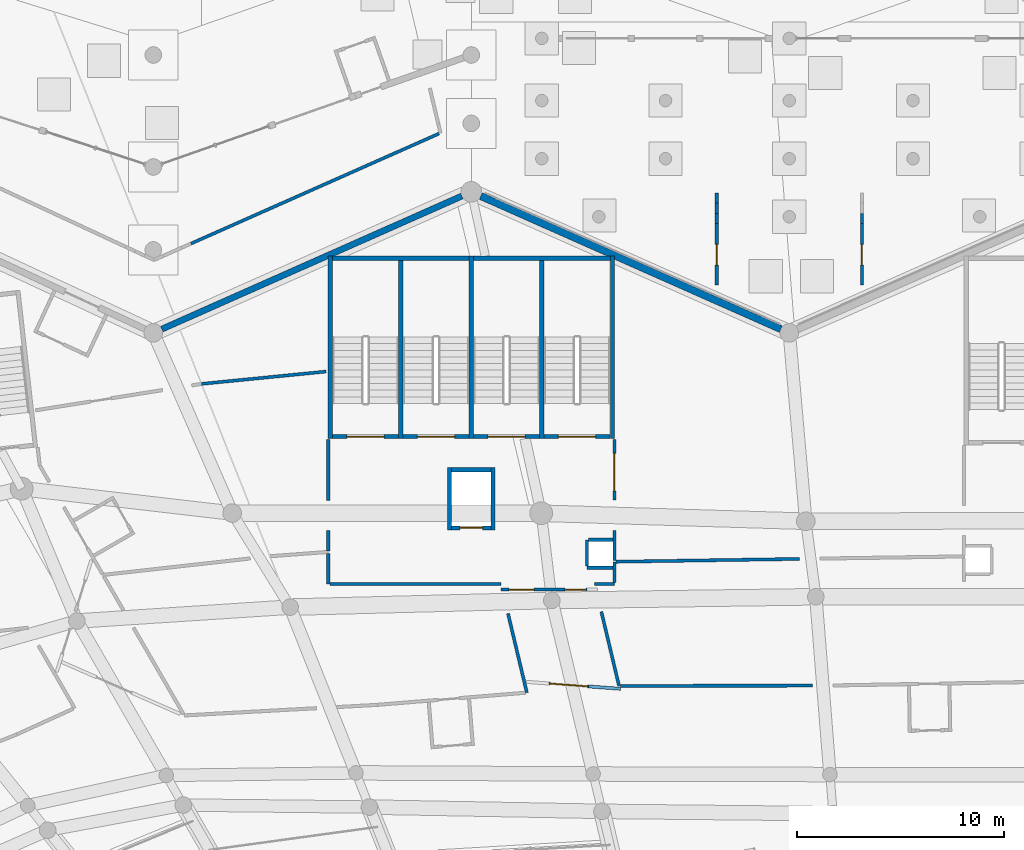
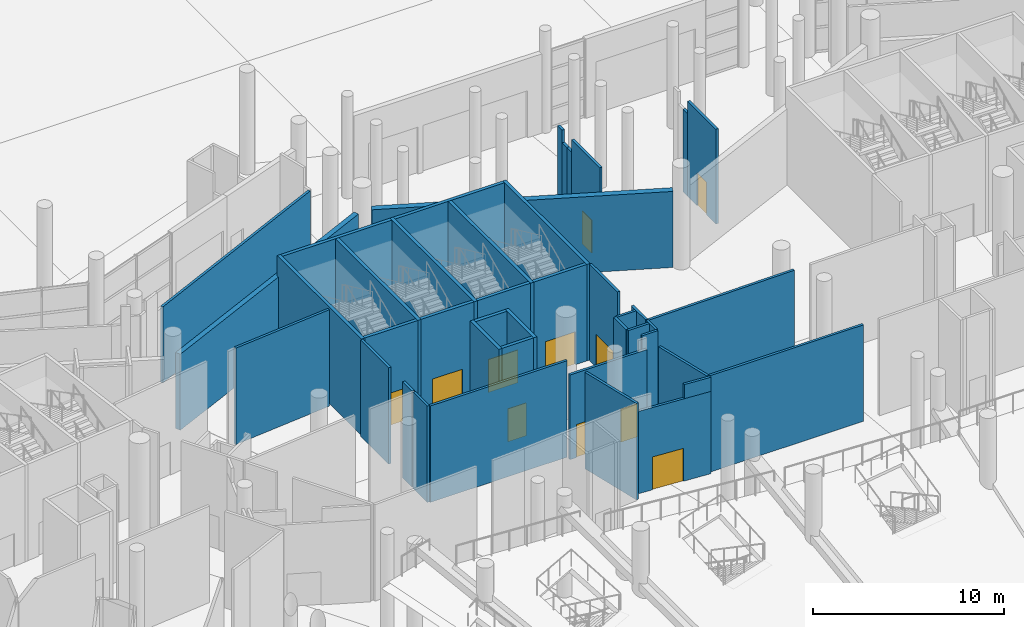
# One storey, part 142 of 255: 43 walls, 11 doors, 11 openings.
"""IFC4 building model written with IfcOpenShell, lengths in metres."""

from ifc_helpers import new_model, si_unit, direction, frame, frame_2d, origin, place, context, subcontext, project, spatial, rectangle, extrude, material, layer, layer_set, type_object, element, fill, save


model = new_model("IFC4")

# Units and contexts
model_context = context("Model", 3, precision=1e-05, world=origin(), true_north=direction((0.0, 1.0)))
body_context = subcontext(model_context, "Body", "Model", "MODEL_VIEW")
ifc_project = project(units=[si_unit("LENGTHUNIT", "METRE"), si_unit("AREAUNIT", "SQUARE_METRE"), si_unit("VOLUMEUNIT", "CUBIC_METRE"), si_unit("PLANEANGLEUNIT", "RADIAN"), si_unit("MASSUNIT", "GRAM", prefix="KILO")], contexts=[model_context])

# Site, building, storey
site_placement = place(None, origin())
site = spatial("IfcSite", under=ifc_project, at=site_placement, CompositionType="ELEMENT")
building_placement = place(site_placement, origin())
building = spatial("IfcBuilding", under=site, at=building_placement, Name="Meseta Stadium", CompositionType="ELEMENT")
storey_placement = place(building_placement, origin())
storey = spatial("IfcBuildingStorey", under=building, at=storey_placement, Name="L00", CompositionType="ELEMENT", Elevation=0.0)

# Walls
ifc_material_1 = material(Name="Concrete C40/50", Category="concrete")
ifc_layer_1 = layer(ifc_material_1, 0.199951171875)
ifc_layer_set_1 = layer_set([ifc_layer_1], Name="Core divider wall 200")
wall_type_1 = type_object("IfcWallType", Name="Core divider wall 200", PredefinedType="SHEAR", material=ifc_layer_set_1)
for number, where, z_axis, x_axis, name in (
    (1, (-19.60009765625, 102.300048828125, 0.0), (0.0, 0.0, 1.0), (0.0, -1.0, 0.0), "Core 11 L00 stair A divider wall"),
    (2, (-26.39990234375, 102.300048828125, 0.0), (0.0, 0.0, 1.0), (0.0, -1.0, 0.0), "Core 11 L00 stair B divider wall"),
):
    element("IfcWall", number, at=place(storey_placement, frame(where, z_axis=z_axis, x_axis=x_axis)), inside=storey, type_object=wall_type_1, Name=name, PredefinedType="SHEAR", context=body_context, shape_type="SweptSolid", body=[
        extrude(rectangle(XDim=8.800048828125, YDim=0.199951171875, at=frame_2d((4.39990234375, 0.0))), origin(), (0.0, 0.0, 1.0), 6.14990234375),
    ])
ifc_material_2 = material(Name="Concrete C40/50", Category="concrete")
ifc_layer_2 = layer(ifc_material_2, 0.199951171875)
ifc_layer_set_2 = layer_set([ifc_layer_2], Name="Core shaft wall 200")
wall_type_2 = type_object("IfcWallType", Name="Core shaft wall 200", PredefinedType="SHEAR", material=ifc_layer_set_2)
for number, where, z_axis, x_axis, name in (
    (3, (-16.199951171875, 102.300048828125, 0.0), (0.0, 0.0, 1.0), (0.0, -1.0, 0.0), "Core 11 L00 stair wall A-side"),
    (4, (-23.0, 102.300048828125, 0.0), (0.0, 0.0, 1.0), (0.0, -1.0, 0.0), "Core 11 L00 stair wall shared"),
    (5, (-29.800048828125, 102.300048828125, 0.0), (0.0, 0.0, 1.0), (0.0, -1.0, 0.0), "Core 11 L00 stair wall B-side"),
):
    element("IfcWall", number, at=place(storey_placement, frame(where, z_axis=z_axis, x_axis=x_axis)), inside=storey, type_object=wall_type_2, Name=name, PredefinedType="SHEAR", context=body_context, shape_type="SweptSolid", body=[
        extrude(rectangle(XDim=8.800048828125, YDim=0.199951171875, at=frame_2d((4.39990234375, 0.0))), origin(), (0.0, 0.0, 1.0), 6.14990234375),
    ])
for number, where, z_axis, x_axis, name in (
    (6, (-16.300048828125, 102.199951171875, 0.0), (0.0, 0.0, 1.0), (-1.0, 0.0, 0.0), "Core 11 L00 stair A outer end wall"),
    (7, (-23.10009765625, 102.199951171875, 0.0), (0.0, 0.0, 1.0), (-1.0, 0.0, 0.0), "Core 11 L00 stair B outer end wall"),
):
    element("IfcWall", number, at=place(storey_placement, frame(where, z_axis=z_axis, x_axis=x_axis)), inside=storey, type_object=wall_type_2, Name=name, PredefinedType="SHEAR", context=body_context, shape_type="SweptSolid", body=[
        extrude(rectangle(XDim=6.599853515625, YDim=0.199951171875, at=frame_2d((3.2998046875, 0.0))), origin(), (0.0, 0.0, 1.0), 6.14990234375),
    ])

# Wall, opening, door
wall_1_placement = place(storey_placement, frame((-16.300048828125, 93.60009765625, 0.0), z_axis=(0.0, 0.0, 1.0), x_axis=(-1.0, 0.0, 0.0)))
wall_1 = element("IfcWall", 8, at=wall_1_placement, inside=storey, type_object=wall_type_2, Name="Core 11 L00 stair A1 inner end wall", PredefinedType="SHEAR", context=body_context, shape_type="SweptSolid", body=[
    extrude(rectangle(XDim=3.199951171875, YDim=0.199951171875, at=frame_2d((1.60009765625, 0.0))), origin(), (0.0, 0.0, 1.0), 6.14990234375),
])
opening_1_placement = place(wall_1_placement, frame((0.699951171875, 0.0, 0.0)))
opening_1 = element("IfcOpeningElement", 9, at=opening_1_placement, cuts=wall_1, Name="Opening D155", PredefinedType="OPENING", context=body_context, shape_type="SweptSolid", body=[
    extrude(rectangle(XDim=1.800048828125, YDim=2.10009765625, at=frame_2d((0.89990234375, 1.050048828125))), frame((0.0, 0.10986328125, 0.0), z_axis=(0.0, -1.0, 0.0), x_axis=(1.0, 0.0, 0.0)), (0.0, 0.0, 1.0), 0.219970703125),
])
ifc_material_3 = material(Name="Steel", Category="steel")
door_type_1 = type_object("IfcDoorType", Name="Stair door 1800x2100", OperationType="DOUBLE_DOOR_SINGLE_SWING", PredefinedType="DOOR", material=ifc_material_3)
door_1_placement = place(opening_1_placement, origin())
door_1 = element("IfcDoor", 10, at=door_1_placement, inside=storey, type_object=door_type_1, Name="Stair A1 door 11 L00", OperationType="DOUBLE_DOOR_SINGLE_SWING", OverallHeight=2.10009765625, OverallWidth=1.800048828125, PredefinedType="DOOR", context=body_context, shape_type="SweptSolid", body=[
    extrude(rectangle(XDim=1.800048828125, YDim=2.10009765625, at=frame_2d((0.89990234375, 1.050048828125))), frame((0.0, 0.02490234375, 0.0), z_axis=(0.0, -1.0, 0.0), x_axis=(1.0, 0.0, 0.0)), (0.0, 0.0, 1.0), 0.050048828125),
])
fill(opening_1, door_1)

wall_2_placement = place(storey_placement, frame((-19.699951171875, 93.60009765625, 0.0), z_axis=(0.0, 0.0, 1.0), x_axis=(-1.0, 0.0, 0.0)))
wall_2 = element("IfcWall", 11, at=wall_2_placement, inside=storey, type_object=wall_type_2, Name="Core 11 L00 stair A2 inner end wall", PredefinedType="SHEAR", context=body_context, shape_type="SweptSolid", body=[
    extrude(rectangle(XDim=3.199951171875, YDim=0.199951171875, at=frame_2d((1.60009765625, 0.0))), origin(), (0.0, 0.0, 1.0), 6.14990234375),
])
opening_2_placement = place(wall_2_placement, frame((0.699951171875, 0.0, 0.0)))
opening_2 = element("IfcOpeningElement", 12, at=opening_2_placement, cuts=wall_2, Name="Opening D156", PredefinedType="OPENING", context=body_context, shape_type="SweptSolid", body=[
    extrude(rectangle(XDim=1.800048828125, YDim=2.10009765625, at=frame_2d((0.89990234375, 1.050048828125))), frame((0.0, 0.10986328125, 0.0), z_axis=(0.0, -1.0, 0.0), x_axis=(1.0, 0.0, 0.0)), (0.0, 0.0, 1.0), 0.219970703125),
])
door_2_placement = place(opening_2_placement, origin())
door_2 = element("IfcDoor", 13, at=door_2_placement, inside=storey, type_object=door_type_1, Name="Stair A2 door 11 L00", OperationType="DOUBLE_DOOR_SINGLE_SWING", OverallHeight=2.10009765625, OverallWidth=1.800048828125, PredefinedType="DOOR", context=body_context, shape_type="SweptSolid", body=[
    extrude(rectangle(XDim=1.800048828125, YDim=2.10009765625, at=frame_2d((0.89990234375, 1.050048828125))), frame((0.0, 0.02490234375, 0.0), z_axis=(0.0, -1.0, 0.0), x_axis=(1.0, 0.0, 0.0)), (0.0, 0.0, 1.0), 0.050048828125),
])
fill(opening_2, door_2)

wall_3_placement = place(storey_placement, frame((-23.10009765625, 93.60009765625, 0.0), z_axis=(0.0, 0.0, 1.0), x_axis=(-1.0, 0.0, 0.0)))
wall_3 = element("IfcWall", 14, at=wall_3_placement, inside=storey, type_object=wall_type_2, Name="Core 11 L00 stair B1 inner end wall", PredefinedType="SHEAR", context=body_context, shape_type="SweptSolid", body=[
    extrude(rectangle(XDim=3.199951171875, YDim=0.199951171875, at=frame_2d((1.60009765625, 0.0))), origin(), (0.0, 0.0, 1.0), 6.14990234375),
])
opening_3_placement = place(wall_3_placement, frame((0.699951171875, 0.0, 0.0)))
opening_3 = element("IfcOpeningElement", 15, at=opening_3_placement, cuts=wall_3, Name="Opening D157", PredefinedType="OPENING", context=body_context, shape_type="SweptSolid", body=[
    extrude(rectangle(XDim=1.800048828125, YDim=2.10009765625, at=frame_2d((0.89990234375, 1.050048828125))), frame((0.0, 0.10986328125, 0.0), z_axis=(0.0, -1.0, 0.0), x_axis=(1.0, 0.0, 0.0)), (0.0, 0.0, 1.0), 0.219970703125),
])
door_3_placement = place(opening_3_placement, origin())
door_3 = element("IfcDoor", 16, at=door_3_placement, inside=storey, type_object=door_type_1, Name="Stair B1 door 11 L00", OperationType="DOUBLE_DOOR_SINGLE_SWING", OverallHeight=2.10009765625, OverallWidth=1.800048828125, PredefinedType="DOOR", context=body_context, shape_type="SweptSolid", body=[
    extrude(rectangle(XDim=1.800048828125, YDim=2.10009765625, at=frame_2d((0.89990234375, 1.050048828125))), frame((0.0, 0.02490234375, 0.0), z_axis=(0.0, -1.0, 0.0), x_axis=(1.0, 0.0, 0.0)), (0.0, 0.0, 1.0), 0.050048828125),
])
fill(opening_3, door_3)

wall_4_placement = place(storey_placement, frame((-26.5, 93.60009765625, 0.0), z_axis=(0.0, 0.0, 1.0), x_axis=(-1.0, 0.0, 0.0)))
wall_4 = element("IfcWall", 17, at=wall_4_placement, inside=storey, type_object=wall_type_2, Name="Core 11 L00 stair B2 inner end wall", PredefinedType="SHEAR", context=body_context, shape_type="SweptSolid", body=[
    extrude(rectangle(XDim=3.199951171875, YDim=0.199951171875, at=frame_2d((1.60009765625, 0.0))), origin(), (0.0, 0.0, 1.0), 6.14990234375),
])
opening_4_placement = place(wall_4_placement, frame((0.699951171875, 0.0, 0.0)))
opening_4 = element("IfcOpeningElement", 18, at=opening_4_placement, cuts=wall_4, Name="Opening D158", PredefinedType="OPENING", context=body_context, shape_type="SweptSolid", body=[
    extrude(rectangle(XDim=1.800048828125, YDim=2.10009765625, at=frame_2d((0.89990234375, 1.050048828125))), frame((0.0, 0.10986328125, 0.0), z_axis=(0.0, -1.0, 0.0), x_axis=(1.0, 0.0, 0.0)), (0.0, 0.0, 1.0), 0.219970703125),
])
door_4_placement = place(opening_4_placement, origin())
door_4 = element("IfcDoor", 19, at=door_4_placement, inside=storey, type_object=door_type_1, Name="Stair B2 door 11 L00", OperationType="DOUBLE_DOOR_SINGLE_SWING", OverallHeight=2.10009765625, OverallWidth=1.800048828125, PredefinedType="DOOR", context=body_context, shape_type="SweptSolid", body=[
    extrude(rectangle(XDim=1.800048828125, YDim=2.10009765625, at=frame_2d((0.89990234375, 1.050048828125))), frame((0.0, 0.02490234375, 0.0), z_axis=(0.0, -1.0, 0.0), x_axis=(1.0, 0.0, 0.0)), (0.0, 0.0, 1.0), 0.050048828125),
])
fill(opening_4, door_4)

# Walls
for number, where, z_axis, x_axis, name in (
    (20, (-21.949951171875, 92.10009765625, 0.0), (0.0, 0.0, 1.0), (0.0, -1.0, 0.0), "Core 11 L00 lift shaft wall left"),
    (21, (-24.050048828125, 92.10009765625, 0.0), (0.0, 0.0, 1.0), (0.0, -1.0, 0.0), "Core 11 L00 lift shaft wall right"),
):
    element("IfcWall", number, at=place(storey_placement, frame(where, z_axis=z_axis, x_axis=x_axis)), inside=storey, type_object=wall_type_2, Name=name, PredefinedType="SHEAR", context=body_context, shape_type="SweptSolid", body=[
        extrude(rectangle(XDim=3.0, YDim=0.199951171875, at=frame_2d((1.5, 0.0))), origin(), (0.0, 0.0, 1.0), 6.14990234375),
    ])
wall_5_placement = place(storey_placement, frame((-22.050048828125, 92.0, 0.0), z_axis=(0.0, 0.0, 1.0), x_axis=(-1.0, 0.0, 0.0)))
element("IfcWall", 22, at=wall_5_placement, inside=storey, type_object=wall_type_2, Name="Core 11 L00 lift shaft back wall", PredefinedType="SHEAR", context=body_context, shape_type="SweptSolid", body=[
    extrude(rectangle(XDim=1.89990234375, YDim=0.199951171875, at=frame_2d((0.949951171875, 0.0))), origin(), (0.0, 0.0, 1.0), 6.14990234375),
])

# Wall, opening, door
wall_6_placement = place(storey_placement, frame((-22.050048828125, 89.199951171875, 0.0), z_axis=(0.0, 0.0, 1.0), x_axis=(-1.0, 0.0, 0.0)))
wall_6 = element("IfcWall", 23, at=wall_6_placement, inside=storey, type_object=wall_type_2, Name="Core 11 L00 lift shaft front wall", PredefinedType="SHEAR", context=body_context, shape_type="SweptSolid", body=[
    extrude(rectangle(XDim=1.89990234375, YDim=0.199951171875, at=frame_2d((0.949951171875, 0.0))), origin(), (0.0, 0.0, 1.0), 6.14990234375),
])
opening_5_placement = place(wall_6_placement, frame((0.39990234375, 0.0, 0.0)))
opening_5 = element("IfcOpeningElement", 24, at=opening_5_placement, cuts=wall_6, Name="Opening LD58", PredefinedType="OPENING", context=body_context, shape_type="SweptSolid", body=[
    extrude(rectangle(XDim=1.10009765625, YDim=2.10009765625, at=frame_2d((0.550048828125, 1.050048828125))), frame((0.0, 0.10986328125, 0.0), z_axis=(0.0, -1.0, 0.0), x_axis=(1.0, 0.0, 0.0)), (0.0, 0.0, 1.0), 0.219970703125),
])
ifc_material_4 = material(Name="Steel", Category="steel")
door_type_2 = type_object("IfcDoorType", Name="Lift landing door 1100x2100", OperationType="SLIDING_TO_LEFT", PredefinedType="DOOR", material=ifc_material_4)
door_5_placement = place(opening_5_placement, origin())
door_5 = element("IfcDoor", 25, at=door_5_placement, inside=storey, type_object=door_type_2, Name="Lift landing door LD58", OperationType="SLIDING_TO_RIGHT", OverallHeight=2.10009765625, OverallWidth=1.10009765625, PredefinedType="DOOR", context=body_context, shape_type="SweptSolid", body=[
    extrude(rectangle(XDim=1.10009765625, YDim=2.10009765625, at=frame_2d((0.550048828125, 1.050048828125))), frame((0.0, 0.02490234375, 0.0), z_axis=(0.0, -1.0, 0.0), x_axis=(1.0, 0.0, 0.0)), (0.0, 0.0, 1.0), 0.050048828125),
])
fill(opening_5, door_5)

ifc_material_5 = material(Name="Masonry blockwork", Category="masonry")
ifc_layer_3 = layer(ifc_material_5, 0.14990234375)
ifc_layer_set_3 = layer_set([ifc_layer_3], Name="Partition 150")
wall_type_3 = type_object("IfcWallType", Name="Partition 150", PredefinedType="PARTITIONING", material=ifc_layer_set_3)
wall_7_placement = place(storey_placement, frame((-4.166748046875, 100.918212890625, 0.0), z_axis=(0.0, 0.0, 1.0), x_axis=(0.0, 1.0, 0.0)))
wall_7 = element("IfcWall", 26, at=wall_7_placement, inside=storey, type_object=wall_type_3, Name="Partition L00 G3-L00-0-SecurityScreening-0", PredefinedType="PARTITIONING", context=body_context, shape_type="SweptSolid", body=[
    extrude(rectangle(XDim=2.95458984375, YDim=0.14990234375, at=frame_2d((1.477294921875, 0.0))), origin(), (0.0, 0.0, 1.0), 6.050048828125),
])
opening_6_placement = place(wall_7_placement, frame((0.949951171875, 0.0, 0.0)))
opening_6 = element("IfcOpeningElement", 27, at=opening_6_placement, cuts=wall_7, Name="Opening D519", PredefinedType="OPENING", context=body_context, shape_type="SweptSolid", body=[
    extrude(rectangle(XDim=1.0, YDim=2.10009765625, at=frame_2d((0.5, 1.050048828125))), frame((0.0, 0.0849609375, 0.0), z_axis=(0.0, -1.0, 0.0), x_axis=(1.0, 0.0, 0.0)), (0.0, 0.0, 1.0), 0.169921875),
])
ifc_material_6 = material(Name="Steel", Category="steel")
door_type_3 = type_object("IfcDoorType", Name="Fire door 1000x2100 EI2 60", OperationType="NOTDEFINED", PredefinedType="DOOR", material=ifc_material_6)
door_6_placement = place(opening_6_placement, origin())
door_6 = element("IfcDoor", 28, at=door_6_placement, inside=storey, type_object=door_type_3, Name="Door D519", OperationType="SINGLE_SWING_RIGHT", OverallHeight=2.10009765625, OverallWidth=1.0, PredefinedType="DOOR", context=body_context, shape_type="SweptSolid", body=[
    extrude(rectangle(XDim=1.0, YDim=2.10009765625, at=frame_2d((0.5, 1.050048828125))), frame((0.0, 0.02490234375, 0.0), z_axis=(0.0, -1.0, 0.0), x_axis=(1.0, 0.0, 0.0)), (0.0, 0.0, 1.0), 0.050048828125),
])
fill(opening_6, door_6)

# Wall
wall_8_placement = place(storey_placement, frame((-4.166748046875, 103.872802734375, 0.0), z_axis=(0.0, 0.0, 1.0), x_axis=(0.0, 1.0, 0.0)))
element("IfcWall", 29, at=wall_8_placement, inside=storey, type_object=wall_type_3, Name="Partition L00 G3-L00-0-SecurityScreening-0", PredefinedType="PARTITIONING", context=body_context, shape_type="SweptSolid", body=[
    extrude(rectangle(XDim=0.4921875, YDim=0.14990234375, at=frame_2d((0.24609375, 0.0))), origin(), (0.0, 0.0, 1.0), 5.25),
])

# Wall, opening, door
wall_9_placement = place(storey_placement, frame((-11.166748046875, 103.872802734375, 0.0), z_axis=(0.0, 0.0, 1.0), x_axis=(0.0, -1.0, 0.0)))
wall_9 = element("IfcWall", 30, at=wall_9_placement, inside=storey, type_object=wall_type_3, Name="Partition L00 G3-L00-1-TicketHall-0", PredefinedType="PARTITIONING", context=body_context, shape_type="SweptSolid", body=[
    extrude(rectangle(XDim=2.95458984375, YDim=0.14990234375, at=frame_2d((1.477294921875, 0.0))), origin(), (0.0, 0.0, 1.0), 6.050048828125),
])
opening_7_placement = place(wall_9_placement, frame((1.004638671875, 0.0, 0.0)))
opening_7 = element("IfcOpeningElement", 31, at=opening_7_placement, cuts=wall_9, Name="Opening D520", PredefinedType="OPENING", context=body_context, shape_type="SweptSolid", body=[
    extrude(rectangle(XDim=1.0, YDim=2.10009765625, at=frame_2d((0.5, 1.050048828125))), frame((0.0, 0.0849609375, 0.0), z_axis=(0.0, -1.0, 0.0), x_axis=(1.0, 0.0, 0.0)), (0.0, 0.0, 1.0), 0.169921875),
])
door_7_placement = place(opening_7_placement, origin())
door_7 = element("IfcDoor", 32, at=door_7_placement, inside=storey, type_object=door_type_3, Name="Door D520", OperationType="SINGLE_SWING_RIGHT", OverallHeight=2.10009765625, OverallWidth=1.0, PredefinedType="DOOR", context=body_context, shape_type="SweptSolid", body=[
    extrude(rectangle(XDim=1.0, YDim=2.10009765625, at=frame_2d((0.5, 1.050048828125))), frame((0.0, 0.02490234375, 0.0), z_axis=(0.0, -1.0, 0.0), x_axis=(1.0, 0.0, 0.0)), (0.0, 0.0, 1.0), 0.050048828125),
])
fill(opening_7, door_7)

# Walls
wall_10_placement = place(storey_placement, frame((-11.166748046875, 103.872802734375, 0.0), z_axis=(0.0, 0.0, 1.0), x_axis=(0.0, 1.0, 0.0)))
element("IfcWall", 33, at=wall_10_placement, inside=storey, type_object=wall_type_3, Name="Partition L00 G3-L00-1-TicketHall-0", PredefinedType="PARTITIONING", context=body_context, shape_type="SweptSolid", body=[
    extrude(rectangle(XDim=0.4921875, YDim=0.14990234375, at=frame_2d((0.24609375, 0.0))), origin(), (0.0, 0.0, 1.0), 5.25),
])
wall_11_placement = place(storey_placement, frame((-11.166748046875, 104.364990234375, 0.0), z_axis=(0.0, 0.0, 1.0), x_axis=(0.0, 1.0, 0.0)))
element("IfcWall", 34, at=wall_11_placement, inside=storey, type_object=wall_type_3, Name="Partition L00 G3-L00-1-TicketHall-0", PredefinedType="PARTITIONING", context=body_context, shape_type="SweptSolid", body=[
    extrude(rectangle(XDim=0.49267578125, YDim=0.14990234375, at=frame_2d((0.246337890625, 0.0))), origin(), (0.0, 0.0, 1.0), 5.25),
])
wall_12_placement = place(storey_placement, frame((-11.166748046875, 104.857666015625, 0.0), z_axis=(0.0, 0.0, 1.0), x_axis=(0.0, 1.0, 0.0)))
element("IfcWall", 35, at=wall_12_placement, inside=storey, type_object=wall_type_3, Name="Partition L00 G3-L00-1-TicketHall-0", PredefinedType="PARTITIONING", context=body_context, shape_type="SweptSolid", body=[
    extrude(rectangle(XDim=0.492431640625, YDim=0.14990234375, at=frame_2d((0.24609375, 0.0))), origin(), (0.0, 0.0, 1.0), 6.050048828125),
])
wall_13_placement = place(storey_placement, frame((-15.876220703125, 81.57861328125, 0.0), z_axis=(0.0, 0.0, 1.0), x_axis=(-0.231653421041, 0.972798382256, 0.0)))
element("IfcWall", 36, at=wall_13_placement, inside=storey, type_object=wall_type_3, Name="Partition L00 L00-cell09-1-0", PredefinedType="PARTITIONING", context=body_context, shape_type="SweptSolid", body=[
    extrude(rectangle(XDim=3.67919921875, YDim=0.14990234375, at=frame_2d((1.839599609375, 0.0))), origin(), (0.0, 0.0, 1.0), 6.14990234375),
])
wall_14_placement = place(storey_placement, frame((-17.048095703125, 86.5, 0.0), z_axis=(0.0, 0.0, 1.0), x_axis=(1.0, 0.0, 0.0)))
element("IfcWall", 37, at=wall_14_placement, inside=storey, type_object=wall_type_3, Name="Partition L00 L00-cell09-1-0", PredefinedType="PARTITIONING", context=body_context, shape_type="SweptSolid", body=[
    extrude(rectangle(XDim=0.947998046875, YDim=0.14990234375, at=frame_2d((0.47412109375, 0.0))), origin(), (0.0, 0.0, 1.0), 6.14990234375),
])
wall_15_placement = place(storey_placement, frame((-16.10009765625, 86.574951171875, 0.0), z_axis=(0.0, 0.0, 1.0), x_axis=(0.0, 1.0, 0.0)))
element("IfcWall", 38, at=wall_15_placement, inside=storey, type_object=wall_type_3, Name="Partition L00 L00-cell09-1-0", PredefinedType="PARTITIONING", context=body_context, shape_type="SweptSolid", body=[
    extrude(rectangle(XDim=0.9892578125, YDim=0.14990234375, at=frame_2d((0.49462890625, 0.0))), origin(), (0.0, 0.0, 1.0), 6.14990234375),
])
wall_16_placement = place(storey_placement, frame((-16.02490234375, 87.5654296875, 0.0), z_axis=(0.0, 0.0, 1.0), x_axis=(0.999882927084, 0.015301376583, 0.0)))
element("IfcWall", 39, at=wall_16_placement, inside=storey, type_object=wall_type_3, Name="Partition L00 L00-cell09-1-0", PredefinedType="PARTITIONING", context=body_context, shape_type="SweptSolid", body=[
    extrude(rectangle(XDim=8.855224609375, YDim=0.14990234375, at=frame_2d((4.427734375, 0.0))), origin(), (0.0, 0.0, 1.0), 6.14990234375),
])
wall_17_placement = place(storey_placement, frame((-6.538330078125, 81.589599609375, 0.0), z_axis=(0.0, 0.0, 1.0), x_axis=(-0.99999932727, -0.001159939114, 0.0)))
element("IfcWall", 40, at=wall_17_placement, inside=storey, type_object=wall_type_3, Name="Partition L00 L00-cell09-1-0", PredefinedType="PARTITIONING", context=body_context, shape_type="SweptSolid", body=[
    extrude(rectangle(XDim=9.260986328125, YDim=0.14990234375, at=frame_2d((4.63037109375, 0.0))), origin(), (0.0, 0.0, 1.0), 6.14990234375),
])
wall_18_placement = place(storey_placement, frame((-16.10009765625, 87.6142578125, 0.0), z_axis=(0.0, 0.0, 1.0), x_axis=(0.0, 1.0, 0.0)))
element("IfcWall", 41, at=wall_18_placement, inside=storey, type_object=wall_type_3, Name="Partition L00 L00-cell09-2-0", PredefinedType="PARTITIONING", context=body_context, shape_type="SweptSolid", body=[
    extrude(rectangle(XDim=1.46142578125, YDim=0.14990234375, at=frame_2d((0.730712890625, 0.0))), origin(), (0.0, 0.0, 1.0), 6.14990234375),
])

# Wall, opening, door
wall_19_placement = place(storey_placement, frame((-16.10009765625, 90.537109375, 0.0), z_axis=(0.0, 0.0, 1.0), x_axis=(0.0, 1.0, 0.0)))
wall_19 = element("IfcWall", 42, at=wall_19_placement, inside=storey, type_object=wall_type_3, Name="Partition L00 L00-cell09-2-0", PredefinedType="PARTITIONING", context=body_context, shape_type="SweptSolid", body=[
    extrude(rectangle(XDim=2.9228515625, YDim=0.14990234375, at=frame_2d((1.46142578125, 0.0))), origin(), (0.0, 0.0, 1.0), 6.14990234375),
])
opening_8_placement = place(wall_19_placement, frame((0.449951171875, 0.0, 0.0)))
opening_8 = element("IfcOpeningElement", 43, at=opening_8_placement, cuts=wall_19, Name="Opening D561", PredefinedType="OPENING", context=body_context, shape_type="SweptSolid", body=[
    extrude(rectangle(XDim=1.800048828125, YDim=2.10009765625, at=frame_2d((0.89990234375, 1.050048828125))), frame((0.0, 0.0849609375, 0.0), z_axis=(0.0, -1.0, 0.0), x_axis=(1.0, 0.0, 0.0)), (0.0, 0.0, 1.0), 0.169921875),
])
ifc_material_7 = material(Name="Timber", Category="wood")
door_type_4 = type_object("IfcDoorType", Name="Room double door 1800x2100", OperationType="DOUBLE_DOOR_SINGLE_SWING", PredefinedType="DOOR", material=ifc_material_7)
door_8_placement = place(opening_8_placement, origin())
door_8 = element("IfcDoor", 44, at=door_8_placement, inside=storey, type_object=door_type_4, Name="Door D561", OperationType="DOUBLE_DOOR_SINGLE_SWING", OverallHeight=2.10009765625, OverallWidth=1.800048828125, PredefinedType="DOOR", context=body_context, shape_type="SweptSolid", body=[
    extrude(rectangle(XDim=1.800048828125, YDim=2.10009765625, at=frame_2d((0.89990234375, 1.050048828125))), frame((0.0, 0.02490234375, 0.0), z_axis=(0.0, -1.0, 0.0), x_axis=(1.0, 0.0, 0.0)), (0.0, 0.0, 1.0), 0.050048828125),
])
fill(opening_8, door_8)

# Walls
wall_20_placement = place(storey_placement, frame((-29.89990234375, 87.962646484375, 0.0), z_axis=(0.0, 0.0, 1.0), x_axis=(0.0, -1.0, 0.0)))
element("IfcWall", 45, at=wall_20_placement, inside=storey, type_object=wall_type_3, Name="Partition L00 L00-cell10-1-0", PredefinedType="PARTITIONING", context=body_context, shape_type="SweptSolid", body=[
    extrude(rectangle(XDim=1.462646484375, YDim=0.14990234375, at=frame_2d((0.7314453125, 0.0))), origin(), (0.0, 0.0, 1.0), 6.14990234375),
])
wall_21_placement = place(storey_placement, frame((-29.824951171875, 86.5, 0.0), z_axis=(0.0, 0.0, 1.0), x_axis=(1.0, 0.0, 0.0)))
element("IfcWall", 46, at=wall_21_placement, inside=storey, type_object=wall_type_3, Name="Partition L00 L00-cell10-1-0", PredefinedType="PARTITIONING", context=body_context, shape_type="SweptSolid", body=[
    extrude(rectangle(XDim=8.25390625, YDim=0.14990234375, at=frame_2d((4.126953125, 0.0))), origin(), (0.0, 0.0, 1.0), 6.14990234375),
])
wall_22_placement = place(storey_placement, frame((-21.23046875, 85.069091796875, 0.0), z_axis=(0.0, 0.0, 1.0), x_axis=(0.231637359188, -0.972802206941, 0.0)))
element("IfcWall", 47, at=wall_22_placement, inside=storey, type_object=wall_type_3, Name="Partition L00 L00-cell10-1-0", PredefinedType="PARTITIONING", context=body_context, shape_type="SweptSolid", body=[
    extrude(rectangle(XDim=3.921875, YDim=0.14990234375, at=frame_2d((1.9609375, 0.0))), origin(), (0.0, 0.0, 1.0), 6.14990234375),
])
wall_23_placement = place(storey_placement, frame((-36.008544921875, 96.141357421875, 0.0), z_axis=(0.0, 0.0, 1.0), x_axis=(0.995133204742, 0.098538849293, 0.0)))
element("IfcWall", 48, at=wall_23_placement, inside=storey, type_object=wall_type_3, Name="Partition L00 L00-cell10-2-0", PredefinedType="PARTITIONING", context=body_context, shape_type="SweptSolid", body=[
    extrude(rectangle(XDim=6.037841796875, YDim=0.14990234375, at=frame_2d((3.01904296875, 0.0))), origin(), (0.0, 0.0, 1.0), 6.14990234375),
])
wall_24_placement = place(storey_placement, frame((-29.89990234375, 93.4599609375, 0.0), z_axis=(0.0, 0.0, 1.0), x_axis=(0.0, -1.0, 0.0)))
element("IfcWall", 49, at=wall_24_placement, inside=storey, type_object=wall_type_3, Name="Partition L00 L00-cell10-2-0", PredefinedType="PARTITIONING", context=body_context, shape_type="SweptSolid", body=[
    extrude(rectangle(XDim=2.93017578125, YDim=0.14990234375, at=frame_2d((1.465087890625, 0.0))), origin(), (0.0, 0.0, 1.0), 6.14990234375),
])
wall_25_placement = place(storey_placement, frame((-29.89990234375, 89.064453125, 0.0), z_axis=(0.0, 0.0, 1.0), x_axis=(0.0, -1.0, 0.0)))
element("IfcWall", 50, at=wall_25_placement, inside=storey, type_object=wall_type_3, Name="Partition L00 L00-cell10-2-0", PredefinedType="PARTITIONING", context=body_context, shape_type="SweptSolid", body=[
    extrude(rectangle(XDim=0.976806640625, YDim=0.14990234375, at=frame_2d((0.48828125, 0.0))), origin(), (0.0, 0.0, 1.0), 6.14990234375),
])
wall_26_placement = place(storey_placement, frame((-24.555908203125, 108.210693359375, 0.0), z_axis=(0.0, 0.0, 1.0), x_axis=(-0.914131290895, -0.40541828154, 0.0)))
element("IfcWall", 51, at=wall_26_placement, inside=storey, type_object=wall_type_3, Name="Partition L00 L00-ring10-0", PredefinedType="PARTITIONING", context=body_context, shape_type="SweptSolid", body=[
    extrude(rectangle(XDim=13.0869140625, YDim=0.14990234375, at=frame_2d((6.54345703125, 0.0))), origin(), (0.0, 0.0, 1.0), 4.85009765625),
])
wall_27_placement = place(storey_placement, frame((-16.176025390625, 88.625, 0.0), z_axis=(0.0, 0.0, 1.0), x_axis=(-1.0, 0.0, 0.0)))
element("IfcWall", 52, at=wall_27_placement, inside=storey, type_object=wall_type_3, Name="Pressurisation shaft wall L00 core 11", PredefinedType="PARTITIONING", context=body_context, shape_type="SweptSolid", body=[
    extrude(rectangle(XDim=1.174072265625, YDim=0.14990234375, at=frame_2d((0.5869140625, 0.0))), origin(), (0.0, 0.0, 1.0), 6.14990234375),
])
wall_28_placement = place(storey_placement, frame((-17.425048828125, 88.625, 0.0), z_axis=(0.0, 0.0, 1.0), x_axis=(0.0, -1.0, 0.0)))
element("IfcWall", 53, at=wall_28_placement, inside=storey, type_object=wall_type_3, Name="Pressurisation shaft wall L00 core 11", PredefinedType="PARTITIONING", context=body_context, shape_type="SweptSolid", body=[
    extrude(rectangle(XDim=1.27490234375, YDim=0.14990234375, at=frame_2d((0.637451171875, 0.0))), origin(), (0.0, 0.0, 1.0), 6.14990234375),
])
wall_29_placement = place(storey_placement, frame((-17.425048828125, 87.27490234375, 0.0), z_axis=(0.0, 0.0, 1.0), x_axis=(1.0, 0.0, 0.0)))
element("IfcWall", 54, at=wall_29_placement, inside=storey, type_object=wall_type_3, Name="Pressurisation shaft wall L00 core 11", PredefinedType="PARTITIONING", context=body_context, shape_type="SweptSolid", body=[
    extrude(rectangle(XDim=1.2490234375, YDim=0.14990234375, at=frame_2d((0.62451171875, 0.0))), origin(), (0.0, 0.0, 1.0), 6.14990234375),
])

# Wall, openings, doors
wall_30_placement = place(storey_placement, frame((-16.922119140625, 86.22509765625, 0.0), z_axis=(0.0, 0.0, 1.0), x_axis=(-1.0, 0.0, 0.0)))
wall_30 = element("IfcWall", 55, at=wall_30_placement, inside=storey, type_object=wall_type_3, Name="Escape corridor sector wall L00 core 11", PredefinedType="PARTITIONING", context=body_context, shape_type="SweptSolid", body=[
    extrude(rectangle(XDim=4.64404296875, YDim=0.14990234375, at=frame_2d((2.322021484375, 0.0))), origin(), (0.0, 0.0, 1.0), 5.39990234375),
])
opening_9_placement = place(wall_30_placement, frame((0.550048828125, 0.0, 0.0)))
opening_9 = element("IfcOpeningElement", 56, at=opening_9_placement, cuts=wall_30, Name="Opening D415", PredefinedType="OPENING", context=body_context, shape_type="SweptSolid", body=[
    extrude(rectangle(XDim=1.0, YDim=2.10009765625, at=frame_2d((0.5, 1.050048828125))), frame((0.0, 0.0849609375, 0.0), z_axis=(0.0, -1.0, 0.0), x_axis=(1.0, 0.0, 0.0)), (0.0, 0.0, 1.0), 0.169921875),
])
opening_10_placement = place(wall_30_placement, frame((3.050048828125, 0.0, 0.0)))
opening_10 = element("IfcOpeningElement", 57, at=opening_10_placement, cuts=wall_30, Name="Opening D1680", PredefinedType="OPENING", context=body_context, shape_type="SweptSolid", body=[
    extrude(rectangle(XDim=1.199951171875, YDim=2.10009765625, at=frame_2d((0.60009765625, 1.050048828125))), frame((0.0, 0.0849609375, 0.0), z_axis=(0.0, -1.0, 0.0), x_axis=(1.0, 0.0, 0.0)), (0.0, 0.0, 1.0), 0.169921875),
])
door_9_placement = place(opening_9_placement, origin())
door_9 = element("IfcDoor", 58, at=door_9_placement, inside=storey, type_object=door_type_3, Name="Escape corridor door EC11-1", OperationType="SINGLE_SWING_LEFT", OverallHeight=2.10009765625, OverallWidth=1.0, PredefinedType="DOOR", context=body_context, shape_type="SweptSolid", body=[
    extrude(rectangle(XDim=1.0, YDim=2.10009765625, at=frame_2d((0.5, 1.050048828125))), frame((0.0, 0.02490234375, 0.0), z_axis=(0.0, -1.0, 0.0), x_axis=(1.0, 0.0, 0.0)), (0.0, 0.0, 1.0), 0.050048828125),
])
fill(opening_9, door_9)
ifc_material_8 = material(Name="Steel", Category="steel")
door_type_5 = type_object("IfcDoorType", Name="Fire door 1200x2100 EI2 60", OperationType="NOTDEFINED", PredefinedType="DOOR", material=ifc_material_8)
door_10_placement = place(opening_10_placement, origin())
door_10 = element("IfcDoor", 59, at=door_10_placement, inside=storey, type_object=door_type_5, Name="Escape corridor door EC11-2", OperationType="SINGLE_SWING_RIGHT", OverallHeight=2.10009765625, OverallWidth=1.199951171875, PredefinedType="DOOR", context=body_context, shape_type="SweptSolid", body=[
    extrude(rectangle(XDim=1.199951171875, YDim=2.10009765625, at=frame_2d((0.60009765625, 1.050048828125))), frame((0.0, 0.02490234375, 0.0), z_axis=(0.0, -1.0, 0.0), x_axis=(1.0, 0.0, 0.0)), (0.0, 0.0, 1.0), 0.050048828125),
])
fill(opening_10, door_10)

# Wall, opening, door
wall_31_placement = place(storey_placement, frame((-15.8056640625, 81.438720703125, 0.0), z_axis=(0.0, 0.0, 1.0), x_axis=(-0.99729913664, 0.073446797464, 0.0)))
wall_31 = element("IfcWall", 60, at=wall_31_placement, inside=storey, type_object=wall_type_3, Name="Escape corridor discharge wall L00 core 11", PredefinedType="PARTITIONING", context=body_context, shape_type="SweptSolid", body=[
    extrude(rectangle(XDim=4.550537109375, YDim=0.14990234375, at=frame_2d((2.275390625, 0.0))), origin(), (0.0, 0.0, 1.0), 5.25),
])
opening_11_placement = place(wall_31_placement, frame((1.600830078125, 0.0, 0.0)))
opening_11 = element("IfcOpeningElement", 61, at=opening_11_placement, cuts=wall_31, Name="Opening D387", PredefinedType="OPENING", context=body_context, shape_type="SweptSolid", body=[
    extrude(rectangle(XDim=1.800048828125, YDim=2.10009765625, at=frame_2d((0.89990234375, 1.050048828125))), frame((0.0, 0.0849609375, 0.0), z_axis=(0.0, -1.0, 0.0), x_axis=(1.0, 0.0, 0.0)), (0.0, 0.0, 1.0), 0.169921875),
])
ifc_material_9 = material(Name="Steel", Category="steel")
door_type_6 = type_object("IfcDoorType", Name="Fire double door 1800x2100 EI2 60", OperationType="DOUBLE_DOOR_SINGLE_SWING", PredefinedType="DOOR", material=ifc_material_9)
door_11_placement = place(opening_11_placement, origin())
door_11 = element("IfcDoor", 62, at=door_11_placement, inside=storey, type_object=door_type_6, Name="Stair discharge door SD11-1", OperationType="DOUBLE_DOOR_SINGLE_SWING", OverallHeight=2.10009765625, OverallWidth=1.800048828125, PredefinedType="DOOR", context=body_context, shape_type="SweptSolid", body=[
    extrude(rectangle(XDim=1.800048828125, YDim=2.10009765625, at=frame_2d((0.89990234375, 1.050048828125))), frame((0.0, 0.02490234375, 0.0), z_axis=(0.0, -1.0, 0.0), x_axis=(1.0, 0.0, 0.0)), (0.0, 0.0, 1.0), 0.050048828125),
])
fill(opening_11, door_11)

# Walls
wall_32_placement = place(storey_placement, frame((-15.8056640625, 81.438720703125, 5.25), z_axis=(0.0, 0.0, 1.0), x_axis=(-0.997305423763, 0.07336137766, 0.0)))
element("IfcWall", 63, at=wall_32_placement, inside=storey, type_object=wall_type_3, Name="Escape corridor discharge wall L00 core 11", PredefinedType="PARTITIONING", context=body_context, shape_type="SweptSolid", body=[
    extrude(rectangle(XDim=1.55078125, YDim=0.14990234375, at=frame_2d((0.775390625, 0.0))), origin(), (0.0, 0.0, 1.0), 0.89990234375),
])
ifc_material_10 = material(Name="White precast concrete C40/50", Category="concrete")
ifc_layer_4 = layer(ifc_material_10, 0.300048828125)
ifc_layer_set_4 = layer_set([ifc_layer_4], Name="Pleated panel wall 300 concourse")
wall_type_4 = type_object("IfcWallType", Name="Pleated panel wall 300 concourse", PredefinedType="SOLIDWALL", material=ifc_layer_set_4)
wall_33_placement = place(storey_placement, frame((-37.92236328125, 98.7822265625, 0.0), z_axis=(0.0, 0.0, 1.0), x_axis=(0.914138897099, 0.405401130748, 0.0)))
element("IfcWall", 64, at=wall_33_placement, inside=storey, type_object=wall_type_4, Name="Pleated facade panel L00 F20", PredefinedType="SOLIDWALL", context=body_context, shape_type="SweptSolid", body=[
    extrude(rectangle(XDim=15.824462890625, YDim=0.300048828125, at=frame_2d((7.912109375, 0.0))), origin(), (0.0, 0.0, 1.0), 4.85009765625),
])
ifc_material_11 = material(Name="White precast concrete C40/50", Category="concrete")
ifc_layer_5 = layer(ifc_material_11, 0.35009765625)
ifc_layer_set_5 = layer_set([ifc_layer_5], Name="Pleated panel wall 350 gate")
wall_type_5 = type_object("IfcWallType", Name="Pleated panel wall 350 gate", PredefinedType="SOLIDWALL", material=ifc_layer_set_5)
wall_34_placement = place(storey_placement, frame((-22.54345703125, 105.197509765625, 0.0), z_axis=(0.0, 0.0, 1.0), x_axis=(0.914138897099, -0.405401130748, 0.0)))
element("IfcWall", 65, at=wall_34_placement, inside=storey, type_object=wall_type_5, Name="Pleated facade panel L00 F19", PredefinedType="SOLIDWALL", context=body_context, shape_type="SweptSolid", body=[
    extrude(rectangle(XDim=15.824462890625, YDim=0.35009765625, at=frame_2d((7.912109375, 0.0))), origin(), (0.0, 0.0, 1.0), 4.85009765625),
])

save(model, "model.ifc")
